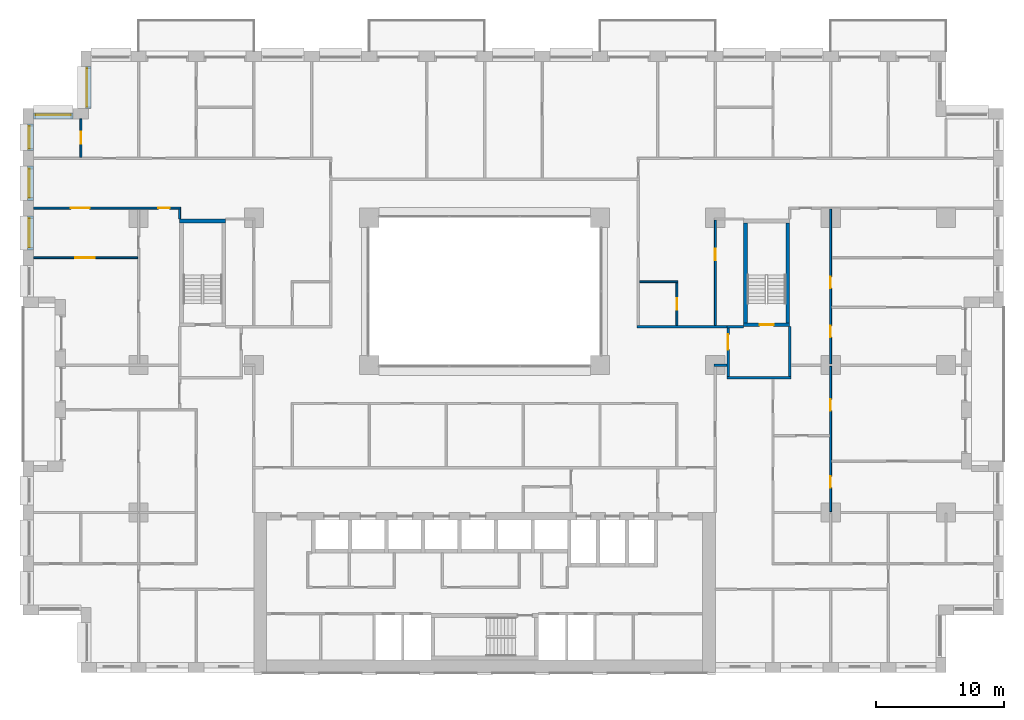
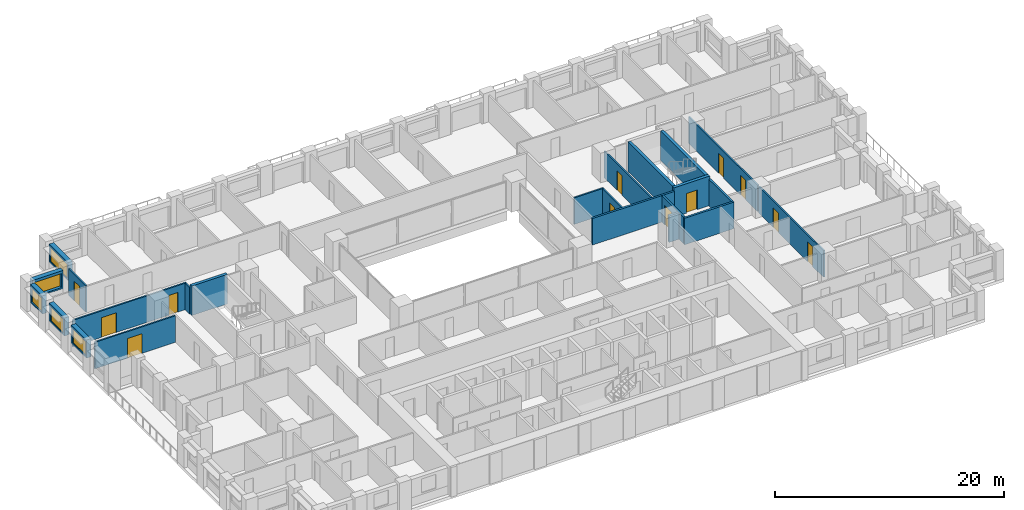
# One storey, part 13 of 19: 24 walls, 12 doors, 5 windows, 17 openings.
"""IFC4 building model written with IfcOpenShell, lengths in metres."""

from ifc_helpers import new_model, si_unit, direction, frame, frame_2d, origin, place, context, subcontext, project, spatial, rectangle, extrude, material, layer, layer_set, type_object, element, fill, save


model = new_model("IFC4")

# Units and contexts
model_context = context("Model", 3, precision=1e-05, world=origin(), true_north=direction((0.0, 1.0)))
body_context = subcontext(model_context, "Body", "Model", "MODEL_VIEW")
ifc_project = project(units=[si_unit("LENGTHUNIT", "METRE"), si_unit("AREAUNIT", "SQUARE_METRE"), si_unit("VOLUMEUNIT", "CUBIC_METRE"), si_unit("PLANEANGLEUNIT", "RADIAN"), si_unit("MASSUNIT", "GRAM", prefix="KILO")], contexts=[model_context])

# Site, building, storey
site_placement = place(None, origin())
site = spatial("IfcSite", under=ifc_project, at=site_placement, CompositionType="ELEMENT")
building_placement = place(site_placement, origin())
building = spatial("IfcBuilding", under=site, at=building_placement, Name="Brigalow Station Residences", CompositionType="ELEMENT")
storey_placement = place(building_placement, frame((0.0, 0.0, 19.5)))
storey = spatial("IfcBuildingStorey", under=building, at=storey_placement, Name="L04", CompositionType="ELEMENT", Elevation=19.5)

# Wall, opening, window
ifc_material_1 = material(Name="Clay brick masonry", Category="masonry")
ifc_layer_1 = layer(ifc_material_1, 0.449951171875)
ifc_layer_set_1 = layer_set([ifc_layer_1], Name="BRICK INFILL WALL 450")
wall_type_1 = type_object("IfcWallType", Name="BRICK INFILL WALL 450", PredefinedType="SOLIDWALL", material=ifc_layer_set_1)
wall_1_placement = place(storey_placement, frame((5.074951171875, 47.300048828125, 0.89990234375), z_axis=(0.0, 0.0, 1.0), x_axis=(0.0, -1.0, 0.0)))
wall_1 = element("IfcWall", 1, at=wall_1_placement, inside=storey, type_object=wall_type_1, Name="L04/ewall/W-L04-40", PredefinedType="SOLIDWALL", context=body_context, shape_type="SweptSolid", body=[
    extrude(rectangle(XDim=3.300048828125, YDim=0.449951171875, at=frame_2d((1.64990234375, 0.0))), origin(), (0.0, 0.0, 1.0), 1.93017578125),
])
opening_1_placement = place(wall_1_placement, frame((0.14990234375, 0.0, 0.14990234375)))
opening_1 = element("IfcOpeningElement", 2, at=opening_1_placement, cuts=wall_1, Name="Opening WT-2", PredefinedType="OPENING", context=body_context, shape_type="SweptSolid", body=[
    extrude(rectangle(XDim=3.0, YDim=1.5, at=frame_2d((1.5, 0.75))), frame((0.0, 0.23486328125, 0.0), z_axis=(0.0, -1.0, 0.0), x_axis=(1.0, 0.0, 0.0)), (0.0, 0.0, 1.0), 0.469970703125),
])
ifc_material_2 = material(Name="Anodised aluminium frame with double glazing", Category="aluminium")
window_type_1 = type_object("IfcWindowType", Name="WINDOW 3000x1500", PartitioningType="SINGLE_PANEL", PredefinedType="WINDOW", material=ifc_material_2)
window_1_placement = place(opening_1_placement, origin())
window_1 = element("IfcWindow", 3, at=window_1_placement, inside=storey, type_object=window_type_1, Name="L04/window/W-L04-40", OverallHeight=1.5, OverallWidth=3.0, PartitioningType="SINGLE_PANEL", PredefinedType="WINDOW", context=body_context, shape_type="SweptSolid", body=[
    extrude(rectangle(XDim=3.0, YDim=1.5, at=frame_2d((1.5, 0.75))), frame((0.0, -0.06494140625, 0.0), z_axis=(0.0, -1.0, 0.0), x_axis=(1.0, 0.0, 0.0)), (0.0, 0.0, 1.0), 0.06005859375),
])
fill(opening_1, window_1)

wall_2_placement = place(storey_placement, frame((3.89990234375, 43.425048828125, 0.89990234375), z_axis=(0.0, 0.0, 1.0), x_axis=(-1.0, 0.0, 0.0)))
wall_2 = element("IfcWall", 4, at=wall_2_placement, inside=storey, type_object=wall_type_1, Name="L04/ewall/W-L04-41", PredefinedType="SOLIDWALL", context=body_context, shape_type="SweptSolid", body=[
    extrude(rectangle(XDim=3.099853515625, YDim=0.449951171875, at=frame_2d((1.5498046875, 0.0))), origin(), (0.0, 0.0, 1.0), 1.93017578125),
])
opening_2_placement = place(wall_2_placement, frame((0.175048828125, 0.0, 0.14990234375)))
opening_2 = element("IfcOpeningElement", 5, at=opening_2_placement, cuts=wall_2, Name="Opening WT-3", PredefinedType="OPENING", context=body_context, shape_type="SweptSolid", body=[
    extrude(rectangle(XDim=2.75, YDim=1.5, at=frame_2d((1.375, 0.75))), frame((0.0, 0.23486328125, 0.0), z_axis=(0.0, -1.0, 0.0), x_axis=(1.0, 0.0, 0.0)), (0.0, 0.0, 1.0), 0.469970703125),
])
ifc_material_3 = material(Name="Anodised aluminium frame with double glazing", Category="aluminium")
window_type_2 = type_object("IfcWindowType", Name="WINDOW 2750x1500", PartitioningType="SINGLE_PANEL", PredefinedType="WINDOW", material=ifc_material_3)
window_2_placement = place(opening_2_placement, origin())
window_2 = element("IfcWindow", 6, at=window_2_placement, inside=storey, type_object=window_type_2, Name="L04/window/W-L04-41", OverallHeight=1.5, OverallWidth=2.75, PartitioningType="SINGLE_PANEL", PredefinedType="WINDOW", context=body_context, shape_type="SweptSolid", body=[
    extrude(rectangle(XDim=2.75, YDim=1.5, at=frame_2d((1.375, 0.75))), frame((0.0, -0.06494140625, 0.0), z_axis=(0.0, -1.0, 0.0), x_axis=(1.0, 0.0, 0.0)), (0.0, 0.0, 1.0), 0.06005859375),
])
fill(opening_2, window_2)

wall_3_placement = place(storey_placement, frame((0.574951171875, 42.800048828125, 0.89990234375), z_axis=(0.0, 0.0, 1.0), x_axis=(0.0, -1.0, 0.0)))
wall_3 = element("IfcWall", 7, at=wall_3_placement, inside=storey, type_object=wall_type_1, Name="L04/ewall/W-L04-42", PredefinedType="SOLIDWALL", context=body_context, shape_type="SweptSolid", body=[
    extrude(rectangle(XDim=2.074951171875, YDim=0.449951171875, at=frame_2d((1.03759765625, 0.0))), origin(), (0.0, 0.0, 1.0), 1.93017578125),
])
opening_3_placement = place(wall_3_placement, frame((0.16259765625, 0.0, 0.14990234375)))
opening_3 = element("IfcOpeningElement", 8, at=opening_3_placement, cuts=wall_3, Name="Opening WT-4", PredefinedType="OPENING", context=body_context, shape_type="SweptSolid", body=[
    extrude(rectangle(XDim=1.75, YDim=1.5, at=frame_2d((0.875, 0.75))), frame((0.0, 0.23486328125, 0.0), z_axis=(0.0, -1.0, 0.0), x_axis=(1.0, 0.0, 0.0)), (0.0, 0.0, 1.0), 0.469970703125),
])
ifc_material_4 = material(Name="Anodised aluminium frame with double glazing", Category="aluminium")
window_type_3 = type_object("IfcWindowType", Name="WINDOW 1750x1500", PartitioningType="SINGLE_PANEL", PredefinedType="WINDOW", material=ifc_material_4)
window_3_placement = place(opening_3_placement, origin())
window_3 = element("IfcWindow", 9, at=window_3_placement, inside=storey, type_object=window_type_3, Name="L04/window/W-L04-42", OverallHeight=1.5, OverallWidth=1.75, PartitioningType="SINGLE_PANEL", PredefinedType="WINDOW", context=body_context, shape_type="SweptSolid", body=[
    extrude(rectangle(XDim=1.75, YDim=1.5, at=frame_2d((0.875, 0.75))), frame((0.0, -0.06494140625, 0.0), z_axis=(0.0, -1.0, 0.0), x_axis=(1.0, 0.0, 0.0)), (0.0, 0.0, 1.0), 0.06005859375),
])
fill(opening_3, window_3)

wall_4_placement = place(storey_placement, frame((0.574951171875, 39.52490234375, 0.89990234375), z_axis=(0.0, 0.0, 1.0), x_axis=(0.0, -1.0, 0.0)))
wall_4 = element("IfcWall", 10, at=wall_4_placement, inside=storey, type_object=wall_type_1, Name="L04/ewall/W-L04-43", PredefinedType="SOLIDWALL", context=body_context, shape_type="SweptSolid", body=[
    extrude(rectangle(XDim=2.6748046875, YDim=0.449951171875, at=frame_2d((1.33740234375, 0.0))), origin(), (0.0, 0.0, 1.0), 1.93017578125),
])
opening_4_placement = place(wall_4_placement, frame((0.21240234375, 0.0, 0.14990234375)))
opening_4 = element("IfcOpeningElement", 11, at=opening_4_placement, cuts=wall_4, Name="Opening WT-6", PredefinedType="OPENING", context=body_context, shape_type="SweptSolid", body=[
    extrude(rectangle(XDim=2.25, YDim=1.5, at=frame_2d((1.125, 0.75))), frame((0.0, 0.23486328125, 0.0), z_axis=(0.0, -1.0, 0.0), x_axis=(1.0, 0.0, 0.0)), (0.0, 0.0, 1.0), 0.469970703125),
])
ifc_material_5 = material(Name="Anodised aluminium frame with double glazing", Category="aluminium")
window_type_4 = type_object("IfcWindowType", Name="WINDOW 2250x1500", PartitioningType="SINGLE_PANEL", PredefinedType="WINDOW", material=ifc_material_5)
window_4_placement = place(opening_4_placement, origin())
window_4 = element("IfcWindow", 12, at=window_4_placement, inside=storey, type_object=window_type_4, Name="L04/window/W-L04-43", OverallHeight=1.5, OverallWidth=2.25, PartitioningType="SINGLE_PANEL", PredefinedType="WINDOW", context=body_context, shape_type="SweptSolid", body=[
    extrude(rectangle(XDim=2.25, YDim=1.5, at=frame_2d((1.125, 0.75))), frame((0.0, -0.06494140625, 0.0), z_axis=(0.0, -1.0, 0.0), x_axis=(1.0, 0.0, 0.0)), (0.0, 0.0, 1.0), 0.06005859375),
])
fill(opening_4, window_4)

wall_5_placement = place(storey_placement, frame((0.574951171875, 35.64990234375, 0.89990234375), z_axis=(0.0, 0.0, 1.0), x_axis=(0.0, -1.0, 0.0)))
wall_5 = element("IfcWall", 13, at=wall_5_placement, inside=storey, type_object=wall_type_1, Name="L04/ewall/W-L04-44", PredefinedType="SOLIDWALL", context=body_context, shape_type="SweptSolid", body=[
    extrude(rectangle(XDim=2.6748046875, YDim=0.449951171875, at=frame_2d((1.33740234375, 0.0))), origin(), (0.0, 0.0, 1.0), 1.93017578125),
])
opening_5_placement = place(wall_5_placement, frame((0.21240234375, 0.0, 0.14990234375)))
opening_5 = element("IfcOpeningElement", 14, at=opening_5_placement, cuts=wall_5, Name="Opening WT-6", PredefinedType="OPENING", context=body_context, shape_type="SweptSolid", body=[
    extrude(rectangle(XDim=2.25, YDim=1.5, at=frame_2d((1.125, 0.75))), frame((0.0, 0.23486328125, 0.0), z_axis=(0.0, -1.0, 0.0), x_axis=(1.0, 0.0, 0.0)), (0.0, 0.0, 1.0), 0.469970703125),
])
window_5_placement = place(opening_5_placement, origin())
window_5 = element("IfcWindow", 15, at=window_5_placement, inside=storey, type_object=window_type_4, Name="L04/window/W-L04-44", OverallHeight=1.5, OverallWidth=2.25, PartitioningType="SINGLE_PANEL", PredefinedType="WINDOW", context=body_context, shape_type="SweptSolid", body=[
    extrude(rectangle(XDim=2.25, YDim=1.5, at=frame_2d((1.125, 0.75))), frame((0.0, -0.06494140625, 0.0), z_axis=(0.0, -1.0, 0.0), x_axis=(1.0, 0.0, 0.0)), (0.0, 0.0, 1.0), 0.06005859375),
])
fill(opening_5, window_5)

# Wall
ifc_material_6 = material(Name="Concrete C80", Category="concrete")
ifc_layer_2 = layer(ifc_material_6, 0.300048828125)
ifc_layer_set_2 = layer_set([ifc_layer_2], Name="CORE SHEAR WALL 300 C80")
wall_type_2 = type_object("IfcWallType", Name="CORE SHEAR WALL 300 C80", PredefinedType="SHEAR", material=ifc_layer_set_2)
wall_6_placement = place(storey_placement, frame((12.199951171875, 35.25, 0.0), z_axis=(0.0, 0.0, 1.0), x_axis=(1.0, 0.0, 0.0)))
element("IfcWall", 16, at=wall_6_placement, inside=storey, type_object=wall_type_2, Name="CORE WALL ST-S1-N L04", PredefinedType="SHEAR", context=body_context, shape_type="SweptSolid", body=[
    extrude(rectangle(XDim=3.60009765625, YDim=0.300048828125, at=frame_2d((1.800048828125, 0.0))), origin(), (0.0, 0.0, 1.0), 3.14990234375),
])

# Wall, opening, door
wall_7_placement = place(storey_placement, frame((56.199951171875, 27.14990234375, 0.0), z_axis=(0.0, 0.0, 1.0), x_axis=(1.0, 0.0, 0.0)))
wall_7 = element("IfcWall", 17, at=wall_7_placement, inside=storey, type_object=wall_type_2, Name="CORE WALL ST-S3-S L04", PredefinedType="SHEAR", context=body_context, shape_type="SweptSolid", body=[
    extrude(rectangle(XDim=3.60009765625, YDim=0.300048828125, at=frame_2d((1.800048828125, 0.0))), origin(), (0.0, 0.0, 1.0), 3.14990234375),
])
opening_6_placement = place(wall_7_placement, frame((1.25, 0.0, 0.0)))
opening_6 = element("IfcOpeningElement", 18, at=opening_6_placement, cuts=wall_7, Name="Opening D-5018", PredefinedType="OPENING", context=body_context, shape_type="SweptSolid", body=[
    extrude(rectangle(XDim=1.10009765625, YDim=2.10009765625, at=frame_2d((0.550048828125, 1.050048828125))), frame((0.0, 0.16015625, 0.0), z_axis=(0.0, -1.0, 0.0), x_axis=(1.0, 0.0, 0.0)), (0.0, 0.0, 1.0), 0.320068359375),
])
ifc_material_7 = material(Name="Steel fire door leaf in steel frame", Category="steel")
door_type_1 = type_object("IfcDoorType", Name="STAIR DOOR 1100 x 2100 FD60S", OperationType="SINGLE_SWING_LEFT", PredefinedType="DOOR", material=ifc_material_7)
door_1_placement = place(opening_6_placement, origin())
door_1 = element("IfcDoor", 19, at=door_1_placement, inside=storey, type_object=door_type_1, Name="D-5018", OperationType="SINGLE_SWING_LEFT", OverallHeight=2.10009765625, OverallWidth=1.10009765625, PredefinedType="DOOR", context=body_context, shape_type="SweptSolid", body=[
    extrude(rectangle(XDim=1.10009765625, YDim=2.10009765625, at=frame_2d((0.550048828125, 1.050048828125))), frame((0.0, 0.02490234375, 0.0), z_axis=(0.0, -1.0, 0.0), x_axis=(1.0, 0.0, 0.0)), (0.0, 0.0, 1.0), 0.050048828125),
])
fill(opening_6, door_1)

# Walls
for number, where, z_axis, x_axis, name in (
    (20, (56.35009765625, 27.300048828125, 0.0), (0.0, 0.0, 1.0), (0.0, 1.0, 0.0), "CORE WALL ST-S3-W L04"),
    (21, (59.64990234375, 27.300048828125, 0.0), (0.0, 0.0, 1.0), (0.0, 1.0, 0.0), "CORE WALL ST-S3-E L04"),
):
    element("IfcWall", number, at=place(storey_placement, frame(where, z_axis=z_axis, x_axis=x_axis)), inside=storey, type_object=wall_type_2, Name=name, PredefinedType="SHEAR", context=body_context, shape_type="SweptSolid", body=[
        extrude(rectangle(XDim=7.800048828125, YDim=0.300048828125, at=frame_2d((3.89990234375, 0.0))), origin(), (0.0, 0.0, 1.0), 3.14990234375),
    ])
ifc_material_8 = material(Name="Concrete blockwork", Category="masonry")
ifc_layer_3 = layer(ifc_material_8, 0.199951171875)
ifc_layer_set_3 = layer_set([ifc_layer_3], Name="FIRE RATED CORE PARTITION 200")
wall_type_3 = type_object("IfcWallType", Name="FIRE RATED CORE PARTITION 200", PredefinedType="PARTITIONING", material=ifc_layer_set_3)
wall_8_placement = place(storey_placement, frame((54.89990234375, 23.0, 0.0), z_axis=(0.0, 0.0, 1.0), x_axis=(1.0, 0.0, 0.0)))
element("IfcWall", 22, at=wall_8_placement, inside=storey, type_object=wall_type_3, Name="PW-5024", PredefinedType="PARTITIONING", context=body_context, shape_type="SweptSolid", body=[
    extrude(rectangle(XDim=5.0, YDim=0.199951171875, at=frame_2d((2.5, 0.0))), origin(), (0.0, 0.0, 1.0), 2.830078125),
])
wall_9_placement = place(storey_placement, frame((54.89990234375, 27.0, 0.0), z_axis=(0.0, 0.0, 1.0), x_axis=(1.0, 0.0, 0.0)))
element("IfcWall", 23, at=wall_9_placement, inside=storey, type_object=wall_type_3, Name="PW-5026", PredefinedType="PARTITIONING", context=body_context, shape_type="SweptSolid", body=[
    extrude(rectangle(XDim=1.300048828125, YDim=0.199951171875, at=frame_2d((0.64990234375, 0.0))), origin(), (0.0, 0.0, 1.0), 2.830078125),
])

# Wall, opening, door
wall_10_placement = place(storey_placement, frame((55.0, 23.10009765625, 0.0), z_axis=(0.0, 0.0, 1.0), x_axis=(0.0, 1.0, 0.0)))
wall_10 = element("IfcWall", 24, at=wall_10_placement, inside=storey, type_object=wall_type_3, Name="PW-5036", PredefinedType="PARTITIONING", context=body_context, shape_type="SweptSolid", body=[
    extrude(rectangle(XDim=3.7998046875, YDim=0.199951171875, at=frame_2d((1.89990234375, 0.0))), origin(), (0.0, 0.0, 1.0), 2.830078125),
])
opening_7_placement = place(wall_10_placement, frame((2.10009765625, 0.0, 0.0)))
opening_7 = element("IfcOpeningElement", 25, at=opening_7_placement, cuts=wall_10, Name="Opening D-5019", PredefinedType="OPENING", context=body_context, shape_type="SweptSolid", body=[
    extrude(rectangle(XDim=1.199951171875, YDim=2.10009765625, at=frame_2d((0.60009765625, 1.050048828125))), frame((0.0, 0.10986328125, 0.0), z_axis=(0.0, -1.0, 0.0), x_axis=(1.0, 0.0, 0.0)), (0.0, 0.0, 1.0), 0.219970703125),
])
ifc_material_9 = material(Name="Steel fire door leaf in steel frame", Category="steel")
door_type_2 = type_object("IfcDoorType", Name="STAIR LOBBY DOOR 1200 x 2100 FD60S", OperationType="SINGLE_SWING_LEFT", PredefinedType="DOOR", material=ifc_material_9)
door_2_placement = place(opening_7_placement, frame((1.199951171875, 0.0, 0.0), z_axis=(0.0, 0.0, 1.0), x_axis=(-1.0, 0.0, 0.0)))
door_2 = element("IfcDoor", 26, at=door_2_placement, inside=storey, type_object=door_type_2, Name="D-5019", OperationType="SINGLE_SWING_LEFT", OverallHeight=2.10009765625, OverallWidth=1.199951171875, PredefinedType="DOOR", context=body_context, shape_type="SweptSolid", body=[
    extrude(rectangle(XDim=1.199951171875, YDim=2.10009765625, at=frame_2d((0.60009765625, 1.050048828125))), frame((0.0, 0.02490234375, 0.0), z_axis=(0.0, -1.0, 0.0), x_axis=(1.0, 0.0, 0.0)), (0.0, 0.0, 1.0), 0.050048828125),
])
fill(opening_7, door_2)

# Wall
wall_11_placement = place(storey_placement, frame((59.800048828125, 23.10009765625, 0.0), z_axis=(0.0, 0.0, 1.0), x_axis=(0.0, 1.0, 0.0)))
element("IfcWall", 27, at=wall_11_placement, inside=storey, type_object=wall_type_3, Name="PW-5037", PredefinedType="PARTITIONING", context=body_context, shape_type="SweptSolid", body=[
    extrude(rectangle(XDim=3.89990234375, YDim=0.199951171875, at=frame_2d((1.949951171875, 0.0))), origin(), (0.0, 0.0, 1.0), 2.830078125),
])

# Wall, opening, door
ifc_material_10 = material(Name="Plasterboard on steel stud partition", Category="steel")
ifc_layer_4 = layer(ifc_material_10, 0.14990234375)
ifc_layer_set_4 = layer_set([ifc_layer_4], Name="FLAT PARTITION 150")
wall_type_4 = type_object("IfcWallType", Name="FLAT PARTITION 150", PredefinedType="PARTITIONING", material=ifc_layer_set_4)
wall_12_placement = place(storey_placement, frame((0.800048828125, 32.375, 0.0), z_axis=(0.0, 0.0, 1.0), x_axis=(1.0, 0.0, 0.0)))
wall_12 = element("IfcWall", 28, at=wall_12_placement, inside=storey, type_object=wall_type_4, Name="PW-1A16", PredefinedType="PARTITIONING", context=body_context, shape_type="SweptSolid", body=[
    extrude(rectangle(XDim=8.125, YDim=0.14990234375, at=frame_2d((4.0625, 0.0))), origin(), (0.0, 0.0, 1.0), 2.830078125),
])
opening_8_placement = place(wall_12_placement, frame((3.27490234375, 0.0, 0.0)))
opening_8 = element("IfcOpeningElement", 29, at=opening_8_placement, cuts=wall_12, Name="Opening D-1A15", PredefinedType="OPENING", context=body_context, shape_type="SweptSolid", body=[
    extrude(rectangle(XDim=1.5, YDim=2.10009765625, at=frame_2d((0.75, 1.050048828125))), frame((0.0, 0.0849609375, 0.0), z_axis=(0.0, -1.0, 0.0), x_axis=(1.0, 0.0, 0.0)), (0.0, 0.0, 1.0), 0.169921875),
])
ifc_material_11 = material(Name="Solid-core timber door leaf", Category="wood")
door_type_3 = type_object("IfcDoorType", Name="INTERNAL DOUBLE DOOR 1500 x 2100", OperationType="DOUBLE_DOOR_SINGLE_SWING", PredefinedType="DOOR", material=ifc_material_11)
door_3_placement = place(opening_8_placement, origin())
door_3 = element("IfcDoor", 30, at=door_3_placement, inside=storey, type_object=door_type_3, Name="D-1A15", OperationType="DOUBLE_DOOR_SINGLE_SWING", OverallHeight=2.10009765625, OverallWidth=1.5, PredefinedType="DOOR", context=body_context, shape_type="SweptSolid", body=[
    extrude(rectangle(XDim=1.5, YDim=2.10009765625, at=frame_2d((0.75, 1.050048828125))), frame((0.0, 0.02490234375, 0.0), z_axis=(0.0, -1.0, 0.0), x_axis=(1.0, 0.0, 0.0)), (0.0, 0.0, 1.0), 0.050048828125),
])
fill(opening_8, door_3)

# Wall, openings, doors
wall_13_placement = place(storey_placement, frame((0.800048828125, 36.25, 0.0), z_axis=(0.0, 0.0, 1.0), x_axis=(1.0, 0.0, 0.0)))
wall_13 = element("IfcWall", 31, at=wall_13_placement, inside=storey, type_object=wall_type_4, Name="PW-1A18", PredefinedType="PARTITIONING", context=body_context, shape_type="SweptSolid", body=[
    extrude(rectangle(XDim=11.474853515625, YDim=0.14990234375, at=frame_2d((5.7373046875, 0.0))), origin(), (0.0, 0.0, 1.0), 2.830078125),
])
opening_9_placement = place(wall_13_placement, frame((2.89990234375, 0.0, 0.0)))
opening_9 = element("IfcOpeningElement", 32, at=opening_9_placement, cuts=wall_13, Name="Opening D-1A14", PredefinedType="OPENING", context=body_context, shape_type="SweptSolid", body=[
    extrude(rectangle(XDim=1.5, YDim=2.10009765625, at=frame_2d((0.75, 1.050048828125))), frame((0.0, 0.0849609375, 0.0), z_axis=(0.0, -1.0, 0.0), x_axis=(1.0, 0.0, 0.0)), (0.0, 0.0, 1.0), 0.169921875),
])
opening_10_placement = place(wall_13_placement, frame((9.72509765625, 0.0, 0.0)))
opening_10 = element("IfcOpeningElement", 33, at=opening_10_placement, cuts=wall_13, Name="Opening D-1A18", PredefinedType="OPENING", context=body_context, shape_type="SweptSolid", body=[
    extrude(rectangle(XDim=0.89990234375, YDim=2.10009765625, at=frame_2d((0.449951171875, 1.050048828125))), frame((0.0, 0.0849609375, 0.0), z_axis=(0.0, -1.0, 0.0), x_axis=(1.0, 0.0, 0.0)), (0.0, 0.0, 1.0), 0.169921875),
])
ifc_material_12 = material(Name="Solid-core timber door leaf", Category="wood")
door_type_4 = type_object("IfcDoorType", Name="INTERNAL DOOR 900 x 2100", OperationType="SINGLE_SWING_LEFT", PredefinedType="DOOR", material=ifc_material_12)
door_4_placement = place(opening_10_placement, frame((0.89990234375, 0.0, 0.0), z_axis=(0.0, 0.0, 1.0), x_axis=(-1.0, 0.0, 0.0)))
door_4 = element("IfcDoor", 34, at=door_4_placement, inside=storey, type_object=door_type_4, Name="D-1A18", OperationType="SINGLE_SWING_LEFT", OverallHeight=2.10009765625, OverallWidth=0.89990234375, PredefinedType="DOOR", context=body_context, shape_type="SweptSolid", body=[
    extrude(rectangle(XDim=0.89990234375, YDim=2.10009765625, at=frame_2d((0.449951171875, 1.050048828125))), frame((0.0, 0.02490234375, 0.0), z_axis=(0.0, -1.0, 0.0), x_axis=(1.0, 0.0, 0.0)), (0.0, 0.0, 1.0), 0.050048828125),
])
fill(opening_10, door_4)
door_5_placement = place(opening_9_placement, frame((1.5, 0.0, 0.0), z_axis=(0.0, 0.0, 1.0), x_axis=(-1.0, 0.0, 0.0)))
door_5 = element("IfcDoor", 35, at=door_5_placement, inside=storey, type_object=door_type_3, Name="D-1A14", OperationType="DOUBLE_DOOR_SINGLE_SWING", OverallHeight=2.10009765625, OverallWidth=1.5, PredefinedType="DOOR", context=body_context, shape_type="SweptSolid", body=[
    extrude(rectangle(XDim=1.5, YDim=2.10009765625, at=frame_2d((0.75, 1.050048828125))), frame((0.0, 0.02490234375, 0.0), z_axis=(0.0, -1.0, 0.0), x_axis=(1.0, 0.0, 0.0)), (0.0, 0.0, 1.0), 0.050048828125),
])
fill(opening_9, door_5)

# Wall
wall_14_placement = place(storey_placement, frame((48.10009765625, 30.5, 0.0), z_axis=(0.0, 0.0, 1.0), x_axis=(1.0, 0.0, 0.0)))
element("IfcWall", 36, at=wall_14_placement, inside=storey, type_object=wall_type_4, Name="PW-1A25", PredefinedType="PARTITIONING", context=body_context, shape_type="SweptSolid", body=[
    extrude(rectangle(XDim=2.974853515625, YDim=0.14990234375, at=frame_2d((1.4873046875, 0.0))), origin(), (0.0, 0.0, 1.0), 2.830078125),
])

# Wall, opening, door
wall_15_placement = place(storey_placement, frame((54.0, 27.10009765625, 0.0), z_axis=(0.0, 0.0, 1.0), x_axis=(0.0, 1.0, 0.0)))
wall_15 = element("IfcWall", 37, at=wall_15_placement, inside=storey, type_object=wall_type_4, Name="PW-1A35", PredefinedType="PARTITIONING", context=body_context, shape_type="SweptSolid", body=[
    extrude(rectangle(XDim=8.224853515625, YDim=0.14990234375, at=frame_2d((4.1123046875, 0.0))), origin(), (0.0, 0.0, 1.0), 2.830078125),
])
opening_11_placement = place(wall_15_placement, frame((5.074951171875, 0.0, 0.0)))
opening_11 = element("IfcOpeningElement", 38, at=opening_11_placement, cuts=wall_15, Name="Opening D-1A51", PredefinedType="OPENING", context=body_context, shape_type="SweptSolid", body=[
    extrude(rectangle(XDim=0.89990234375, YDim=2.10009765625, at=frame_2d((0.449951171875, 1.050048828125))), frame((0.0, 0.0849609375, 0.0), z_axis=(0.0, -1.0, 0.0), x_axis=(1.0, 0.0, 0.0)), (0.0, 0.0, 1.0), 0.169921875),
])
door_6_placement = place(opening_11_placement, frame((0.89990234375, 0.0, 0.0), z_axis=(0.0, 0.0, 1.0), x_axis=(-1.0, 0.0, 0.0)))
door_6 = element("IfcDoor", 39, at=door_6_placement, inside=storey, type_object=door_type_4, Name="D-1A51", OperationType="SINGLE_SWING_LEFT", OverallHeight=2.10009765625, OverallWidth=0.89990234375, PredefinedType="DOOR", context=body_context, shape_type="SweptSolid", body=[
    extrude(rectangle(XDim=0.89990234375, YDim=2.10009765625, at=frame_2d((0.449951171875, 1.050048828125))), frame((0.0, 0.02490234375, 0.0), z_axis=(0.0, -1.0, 0.0), x_axis=(1.0, 0.0, 0.0)), (0.0, 0.0, 1.0), 0.050048828125),
])
fill(opening_11, door_6)

wall_16_placement = place(storey_placement, frame((51.0, 27.10009765625, 0.0), z_axis=(0.0, 0.0, 1.0), x_axis=(0.0, 1.0, 0.0)))
wall_16 = element("IfcWall", 40, at=wall_16_placement, inside=storey, type_object=wall_type_4, Name="PW-1A41", PredefinedType="PARTITIONING", context=body_context, shape_type="SweptSolid", body=[
    extrude(rectangle(XDim=3.324951171875, YDim=0.14990234375, at=frame_2d((1.66259765625, 0.0))), origin(), (0.0, 0.0, 1.0), 2.830078125),
])
opening_12_placement = place(wall_16_placement, frame((1.199951171875, 0.0, 0.0)))
opening_12 = element("IfcOpeningElement", 41, at=opening_12_placement, cuts=wall_16, Name="Opening D-1A52", PredefinedType="OPENING", context=body_context, shape_type="SweptSolid", body=[
    extrude(rectangle(XDim=0.89990234375, YDim=2.10009765625, at=frame_2d((0.449951171875, 1.050048828125))), frame((0.0, 0.0849609375, 0.0), z_axis=(0.0, -1.0, 0.0), x_axis=(1.0, 0.0, 0.0)), (0.0, 0.0, 1.0), 0.169921875),
])
door_7_placement = place(opening_12_placement, origin())
door_7 = element("IfcDoor", 42, at=door_7_placement, inside=storey, type_object=door_type_4, Name="D-1A52", OperationType="SINGLE_SWING_LEFT", OverallHeight=2.10009765625, OverallWidth=0.89990234375, PredefinedType="DOOR", context=body_context, shape_type="SweptSolid", body=[
    extrude(rectangle(XDim=0.89990234375, YDim=2.10009765625, at=frame_2d((0.449951171875, 1.050048828125))), frame((0.0, 0.02490234375, 0.0), z_axis=(0.0, -1.0, 0.0), x_axis=(1.0, 0.0, 0.0)), (0.0, 0.0, 1.0), 0.050048828125),
])
fill(opening_12, door_7)

wall_17_placement = place(storey_placement, frame((4.5, 40.199951171875, 0.0), z_axis=(0.0, 0.0, 1.0), x_axis=(0.0, 1.0, 0.0)))
wall_17 = element("IfcWall", 43, at=wall_17_placement, inside=storey, type_object=wall_type_4, Name="PW-1A52", PredefinedType="PARTITIONING", context=body_context, shape_type="SweptSolid", body=[
    extrude(rectangle(XDim=3.0, YDim=0.14990234375, at=frame_2d((1.5, 0.0))), origin(), (0.0, 0.0, 1.0), 2.830078125),
])
opening_13_placement = place(wall_17_placement, frame((1.0869140625, 0.0, 0.0)))
opening_13 = element("IfcOpeningElement", 44, at=opening_13_placement, cuts=wall_17, Name="Opening D-1A22", PredefinedType="OPENING", context=body_context, shape_type="SweptSolid", body=[
    extrude(rectangle(XDim=0.89990234375, YDim=2.10009765625, at=frame_2d((0.449951171875, 1.050048828125))), frame((0.0, 0.0849609375, 0.0), z_axis=(0.0, -1.0, 0.0), x_axis=(1.0, 0.0, 0.0)), (0.0, 0.0, 1.0), 0.169921875),
])
door_8_placement = place(opening_13_placement, origin())
door_8 = element("IfcDoor", 45, at=door_8_placement, inside=storey, type_object=door_type_4, Name="D-1A22", OperationType="SINGLE_SWING_RIGHT", OverallHeight=2.10009765625, OverallWidth=0.89990234375, PredefinedType="DOOR", context=body_context, shape_type="SweptSolid", body=[
    extrude(rectangle(XDim=0.89990234375, YDim=2.10009765625, at=frame_2d((0.449951171875, 1.050048828125))), frame((0.0, 0.02490234375, 0.0), z_axis=(0.0, -1.0, 0.0), x_axis=(1.0, 0.0, 0.0)), (0.0, 0.0, 1.0), 0.050048828125),
])
fill(opening_13, door_8)

# Wall
wall_18_placement = place(storey_placement, frame((12.199951171875, 35.39990234375, 0.0), z_axis=(0.0, 0.0, 1.0), x_axis=(0.0, 1.0, 0.0)))
element("IfcWall", 46, at=wall_18_placement, inside=storey, type_object=wall_type_4, Name="PW-1A57", PredefinedType="PARTITIONING", context=body_context, shape_type="SweptSolid", body=[
    extrude(rectangle(XDim=0.775146484375, YDim=0.14990234375, at=frame_2d((0.3876953125, 0.0))), origin(), (0.0, 0.0, 1.0), 2.830078125),
])

# Wall, openings, doors
wall_19_placement = place(storey_placement, frame((63.0, 12.574951171875, 0.0), z_axis=(0.0, 0.0, 1.0), x_axis=(0.0, 1.0, 0.0)))
wall_19 = element("IfcWall", 47, at=wall_19_placement, inside=storey, type_object=wall_type_4, Name="PW-1A66", PredefinedType="PARTITIONING", context=body_context, shape_type="SweptSolid", body=[
    extrude(rectangle(XDim=11.324951171875, YDim=0.14990234375, at=frame_2d((5.66259765625, 0.0))), origin(), (0.0, 0.0, 1.0), 2.830078125),
])
opening_14_placement = place(wall_19_placement, frame((1.85009765625, 0.0, 0.0)))
opening_14 = element("IfcOpeningElement", 48, at=opening_14_placement, cuts=wall_19, Name="Opening D-1A41", PredefinedType="OPENING", context=body_context, shape_type="SweptSolid", body=[
    extrude(rectangle(XDim=0.89990234375, YDim=2.10009765625, at=frame_2d((0.449951171875, 1.050048828125))), frame((0.0, 0.0849609375, 0.0), z_axis=(0.0, -1.0, 0.0), x_axis=(1.0, 0.0, 0.0)), (0.0, 0.0, 1.0), 0.169921875),
])
opening_15_placement = place(wall_19_placement, frame((7.85009765625, 0.0, 0.0)))
opening_15 = element("IfcOpeningElement", 49, at=opening_15_placement, cuts=wall_19, Name="Opening D-1A42", PredefinedType="OPENING", context=body_context, shape_type="SweptSolid", body=[
    extrude(rectangle(XDim=0.89990234375, YDim=2.10009765625, at=frame_2d((0.449951171875, 1.050048828125))), frame((0.0, 0.0849609375, 0.0), z_axis=(0.0, -1.0, 0.0), x_axis=(1.0, 0.0, 0.0)), (0.0, 0.0, 1.0), 0.169921875),
])
door_9_placement = place(opening_14_placement, origin())
door_9 = element("IfcDoor", 50, at=door_9_placement, inside=storey, type_object=door_type_4, Name="D-1A41", OperationType="SINGLE_SWING_LEFT", OverallHeight=2.10009765625, OverallWidth=0.89990234375, PredefinedType="DOOR", context=body_context, shape_type="SweptSolid", body=[
    extrude(rectangle(XDim=0.89990234375, YDim=2.10009765625, at=frame_2d((0.449951171875, 1.050048828125))), frame((0.0, 0.02490234375, 0.0), z_axis=(0.0, -1.0, 0.0), x_axis=(1.0, 0.0, 0.0)), (0.0, 0.0, 1.0), 0.050048828125),
])
fill(opening_14, door_9)
door_10_placement = place(opening_15_placement, origin())
door_10 = element("IfcDoor", 51, at=door_10_placement, inside=storey, type_object=door_type_4, Name="D-1A42", OperationType="SINGLE_SWING_LEFT", OverallHeight=2.10009765625, OverallWidth=0.89990234375, PredefinedType="DOOR", context=body_context, shape_type="SweptSolid", body=[
    extrude(rectangle(XDim=0.89990234375, YDim=2.10009765625, at=frame_2d((0.449951171875, 1.050048828125))), frame((0.0, 0.02490234375, 0.0), z_axis=(0.0, -1.0, 0.0), x_axis=(1.0, 0.0, 0.0)), (0.0, 0.0, 1.0), 0.050048828125),
])
fill(opening_15, door_10)

wall_20_placement = place(storey_placement, frame((63.0, 24.10009765625, 0.0), z_axis=(0.0, 0.0, 1.0), x_axis=(0.0, 1.0, 0.0)))
wall_20 = element("IfcWall", 52, at=wall_20_placement, inside=storey, type_object=wall_type_4, Name="PW-1A67", PredefinedType="PARTITIONING", context=body_context, shape_type="SweptSolid", body=[
    extrude(rectangle(XDim=12.074951171875, YDim=0.14990234375, at=frame_2d((6.03759765625, 0.0))), origin(), (0.0, 0.0, 1.0), 2.830078125),
])
opening_16_placement = place(wall_20_placement, frame((5.887939453125, 0.0, 0.0)))
opening_16 = element("IfcOpeningElement", 53, at=opening_16_placement, cuts=wall_20, Name="Opening D-1A48", PredefinedType="OPENING", context=body_context, shape_type="SweptSolid", body=[
    extrude(rectangle(XDim=0.89990234375, YDim=2.10009765625, at=frame_2d((0.449951171875, 1.050048828125))), frame((0.0, 0.0849609375, 0.0), z_axis=(0.0, -1.0, 0.0), x_axis=(1.0, 0.0, 0.0)), (0.0, 0.0, 1.0), 0.169921875),
])
opening_17_placement = place(wall_20_placement, frame((2.074951171875, 0.0, 0.0)))
opening_17 = element("IfcOpeningElement", 54, at=opening_17_placement, cuts=wall_20, Name="Opening D-1A49", PredefinedType="OPENING", context=body_context, shape_type="SweptSolid", body=[
    extrude(rectangle(XDim=0.89990234375, YDim=2.10009765625, at=frame_2d((0.449951171875, 1.050048828125))), frame((0.0, 0.0849609375, 0.0), z_axis=(0.0, -1.0, 0.0), x_axis=(1.0, 0.0, 0.0)), (0.0, 0.0, 1.0), 0.169921875),
])
door_11_placement = place(opening_16_placement, origin())
door_11 = element("IfcDoor", 55, at=door_11_placement, inside=storey, type_object=door_type_4, Name="D-1A48", OperationType="SINGLE_SWING_RIGHT", OverallHeight=2.10009765625, OverallWidth=0.89990234375, PredefinedType="DOOR", context=body_context, shape_type="SweptSolid", body=[
    extrude(rectangle(XDim=0.89990234375, YDim=2.10009765625, at=frame_2d((0.449951171875, 1.050048828125))), frame((0.0, 0.02490234375, 0.0), z_axis=(0.0, -1.0, 0.0), x_axis=(1.0, 0.0, 0.0)), (0.0, 0.0, 1.0), 0.050048828125),
])
fill(opening_16, door_11)
door_12_placement = place(opening_17_placement, origin())
door_12 = element("IfcDoor", 56, at=door_12_placement, inside=storey, type_object=door_type_4, Name="D-1A49", OperationType="SINGLE_SWING_LEFT", OverallHeight=2.10009765625, OverallWidth=0.89990234375, PredefinedType="DOOR", context=body_context, shape_type="SweptSolid", body=[
    extrude(rectangle(XDim=0.89990234375, YDim=2.10009765625, at=frame_2d((0.449951171875, 1.050048828125))), frame((0.0, 0.02490234375, 0.0), z_axis=(0.0, -1.0, 0.0), x_axis=(1.0, 0.0, 0.0)), (0.0, 0.0, 1.0), 0.050048828125),
])
fill(opening_17, door_12)

# Walls
ifc_material_13 = material(Name="Plasterboard on steel stud partition", Category="steel")
ifc_layer_5 = layer(ifc_material_13, 0.199951171875)
ifc_layer_set_5 = layer_set([ifc_layer_5], Name="PARTY AND CORRIDOR WALL 200")
wall_type_5 = type_object("IfcWallType", Name="PARTY AND CORRIDOR WALL 200", PredefinedType="PARTITIONING", material=ifc_layer_set_5)
wall_21_placement = place(storey_placement, frame((53.89990234375, 24.0, 0.0), z_axis=(0.0, 0.0, 1.0), x_axis=(1.0, 0.0, 0.0)))
element("IfcWall", 57, at=wall_21_placement, inside=storey, type_object=wall_type_5, Name="PW-1A04", PredefinedType="PARTITIONING", context=body_context, shape_type="SweptSolid", body=[
    extrude(rectangle(XDim=1.0, YDim=0.199951171875, at=frame_2d((0.5, 0.0))), origin(), (0.0, 0.0, 1.0), 2.830078125),
])
wall_22_placement = place(storey_placement, frame((47.89990234375, 27.0, 0.0), z_axis=(0.0, 0.0, 1.0), x_axis=(1.0, 0.0, 0.0)))
element("IfcWall", 58, at=wall_22_placement, inside=storey, type_object=wall_type_5, Name="PW-1A07", PredefinedType="PARTITIONING", context=body_context, shape_type="SweptSolid", body=[
    extrude(rectangle(XDim=7.0, YDim=0.199951171875, at=frame_2d((3.5, 0.0))), origin(), (0.0, 0.0, 1.0), 2.830078125),
])

save(model, "model.ifc")
